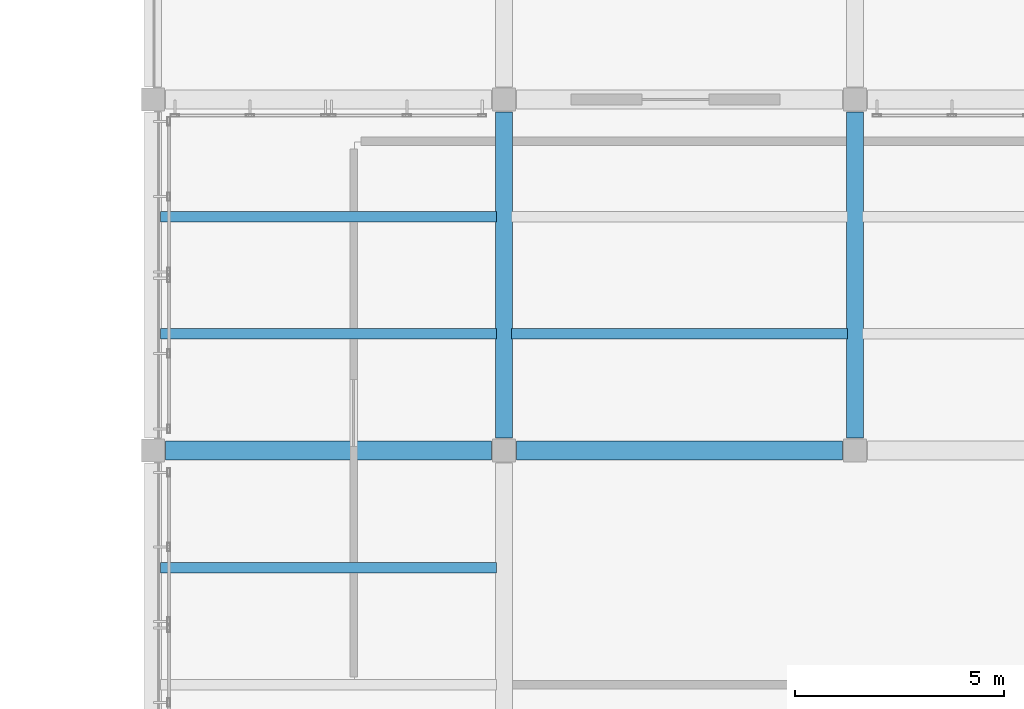
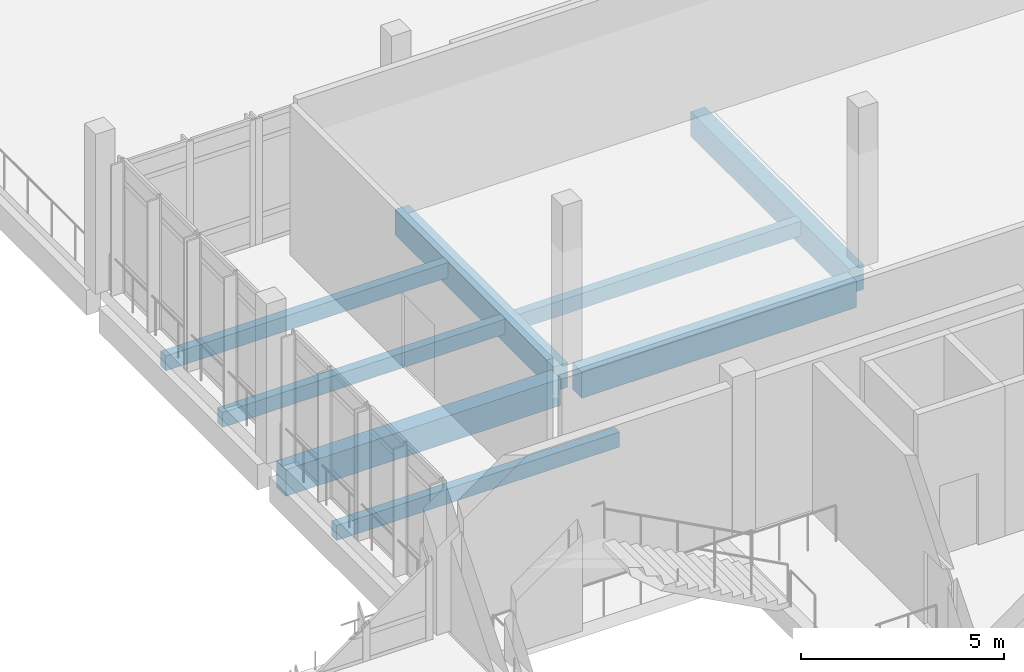
# One storey, part 23 of 63: 8 beams.
"""IFC4 building model written with IfcOpenShell, lengths in metres."""

from ifc_helpers import new_model, si_unit, derived_unit, direction, frame, origin, origin_2d, place, context, subcontext, project, spatial, rectangle, extrude, material, material_profile, profile_set, type_object, element, save


model = new_model("IFC4")

# Units and contexts
model_context = context("Model", 3, precision=1e-05, world=origin(), true_north=direction((0.0, 1.0)))
body_context = subcontext(model_context, "Body", "Model", "MODEL_VIEW")
ifc_project = project(units=[si_unit("LENGTHUNIT", "METRE"), si_unit("AREAUNIT", "SQUARE_METRE"), si_unit("VOLUMEUNIT", "CUBIC_METRE"), si_unit("PLANEANGLEUNIT", "RADIAN"), si_unit("MASSUNIT", "GRAM", prefix="KILO"), derived_unit("THERMALTRANSMITTANCEUNIT", [(si_unit("POWERUNIT", "WATT"), 1), (si_unit("LENGTHUNIT", "METRE"), -2), (si_unit("THERMODYNAMICTEMPERATUREUNIT", "KELVIN"), -1)])], contexts=[model_context])

# Site, building, storey
site_placement = place(None, origin())
site = spatial("IfcSite", under=ifc_project, at=site_placement, CompositionType="ELEMENT")
building_placement = place(site_placement, origin())
building = spatial("IfcBuilding", under=site, at=building_placement, Name="Elbkamm Science Centre", CompositionType="ELEMENT")
storey_placement = place(building_placement, frame((0.0, 0.0, 5.10009765625)))
storey = spatial("IfcBuildingStorey", under=building, at=storey_placement, Name="L01", CompositionType="ELEMENT", Elevation=5.10009765625)

# Beams
ifc_material = material(Name="Concrete C40/50", Category="concrete")
ifc_material_profile_1 = material_profile(ifc_material, rectangle(XDim=0.39990234375, YDim=0.75, at=origin_2d()), Name="RC 400x750")
ifc_profile_set_1 = profile_set([ifc_material_profile_1], Name="Concrete C40/50")
beam_type_1 = type_object("IfcBeamType", Name="BM-RC-400x750", PredefinedType="BEAM", material=ifc_profile_set_1)
for number, where, z_axis, x_axis, name in (
    (1, (134.39990234375, 67.5, -0.775146484375), (0.0, 1.0, 0.0), (-1.0, 0.0, 0.0), "L01 Primary Y-Girder 052"),
    (2, (142.800048828125, 67.5, -0.775146484375), (0.0, 1.0, 0.0), (-1.0, 0.0, 0.0), "L01 Primary Y-Girder 058"),
):
    element("IfcBeam", number, at=place(storey_placement, frame(where, z_axis=z_axis, x_axis=x_axis)), inside=storey, type_object=beam_type_1, Name=name, PredefinedType="BEAM", context=body_context, shape_type="SweptSolid", body=[
        extrude(rectangle(XDim=0.39990234375, YDim=0.75, at=origin_2d()), origin(), (0.0, 0.0, 1.0), 7.800048828125),
    ])
ifc_material_profile_2 = material_profile(ifc_material, rectangle(XDim=0.449951171875, YDim=0.800048828125, at=origin_2d()), Name="RC 450x800")
ifc_profile_set_2 = profile_set([ifc_material_profile_2], Name="Concrete C40/50")
beam_type_2 = type_object("IfcBeamType", Name="BM-RC-450x800", PredefinedType="BEAM", material=ifc_profile_set_2)
for number, where, z_axis, x_axis, name in (
    (3, (126.300048828125, 67.199951171875, -0.800048828125), (1.0, 0.0, 0.0), (0.0, 1.0, 0.0), "L01 Primary X-Girder 068"),
    (4, (134.699951171875, 67.199951171875, -0.800048828125), (1.0, 0.0, 0.0), (0.0, 1.0, 0.0), "L01 Primary X-Girder 069"),
):
    element("IfcBeam", number, at=place(storey_placement, frame(where, z_axis=z_axis, x_axis=x_axis)), inside=storey, type_object=beam_type_2, Name=name, PredefinedType="BEAM", context=body_context, shape_type="SweptSolid", body=[
        extrude(rectangle(XDim=0.449951171875, YDim=0.800048828125, at=origin_2d()), origin(), (0.0, 0.0, 1.0), 7.800048828125),
    ])
ifc_material_profile_3 = material_profile(ifc_material, rectangle(XDim=0.25, YDim=0.449951171875, at=origin_2d()), Name="RC 250x450")
ifc_profile_set_3 = profile_set([ifc_material_profile_3], Name="Concrete C40/50")
beam_type_3 = type_object("IfcBeamType", Name="JST-RC-250x450", PredefinedType="JOIST", material=ifc_profile_set_3)
for number, where, z_axis, x_axis, name in (
    (5, (126.179931640625, 64.39990234375, -0.625), (1.0, 0.0, 0.0), (0.0, 1.0, 0.0), "L01 Secondary Floor Joist 062"),
    (6, (126.179931640625, 70.0, -0.625), (1.0, 0.0, 0.0), (0.0, 1.0, 0.0), "L01 Secondary Floor Joist 063"),
    (7, (126.179931640625, 72.800048828125, -0.625), (1.0, 0.0, 0.0), (0.0, 1.0, 0.0), "L01 Secondary Floor Joist 064"),
    (8, (134.580078125, 70.0, -0.625), (1.0, 0.0, 0.0), (0.0, 1.0, 0.0), "L01 Secondary Floor Joist 071"),
):
    element("IfcBeam", number, at=place(storey_placement, frame(where, z_axis=z_axis, x_axis=x_axis)), inside=storey, type_object=beam_type_3, Name=name, PredefinedType="JOIST", context=body_context, shape_type="SweptSolid", body=[
        extrude(rectangle(XDim=0.25, YDim=0.449951171875, at=origin_2d()), origin(), (0.0, 0.0, 1.0), 8.0400390625),
    ])

save(model, "model.ifc")
